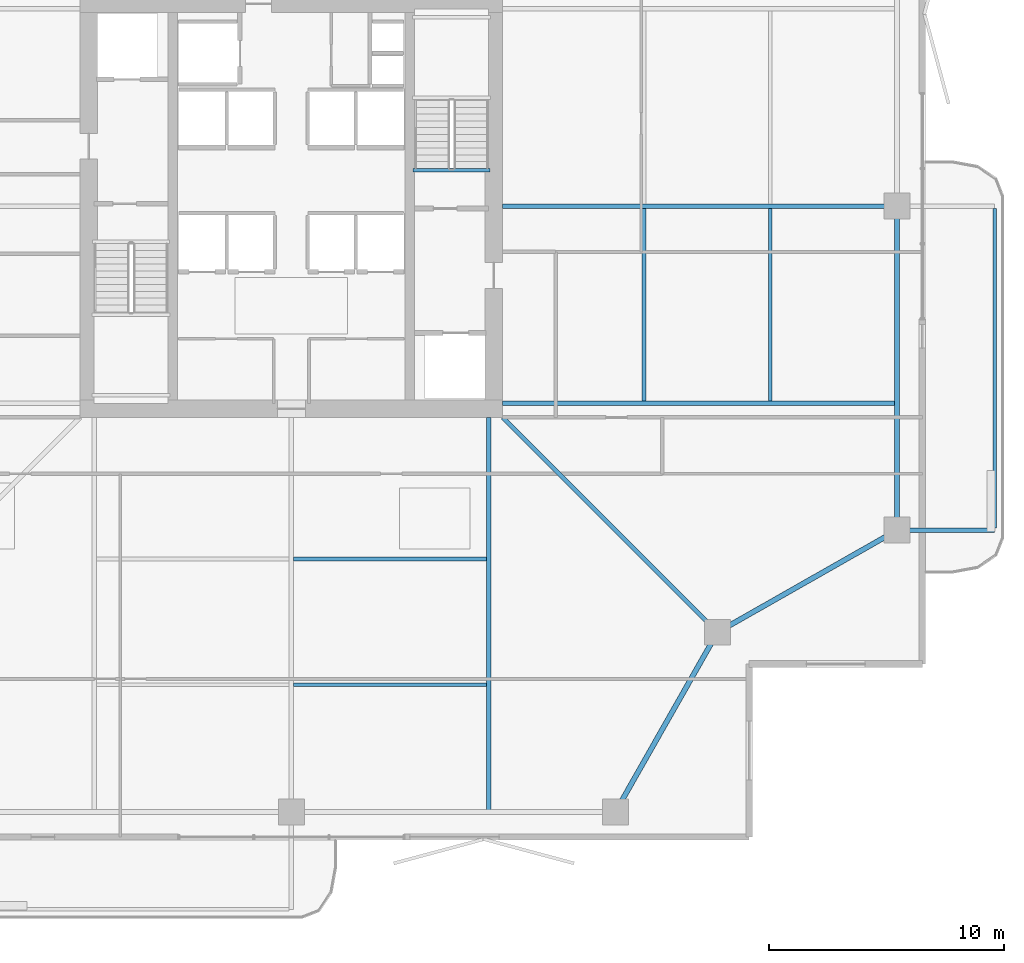
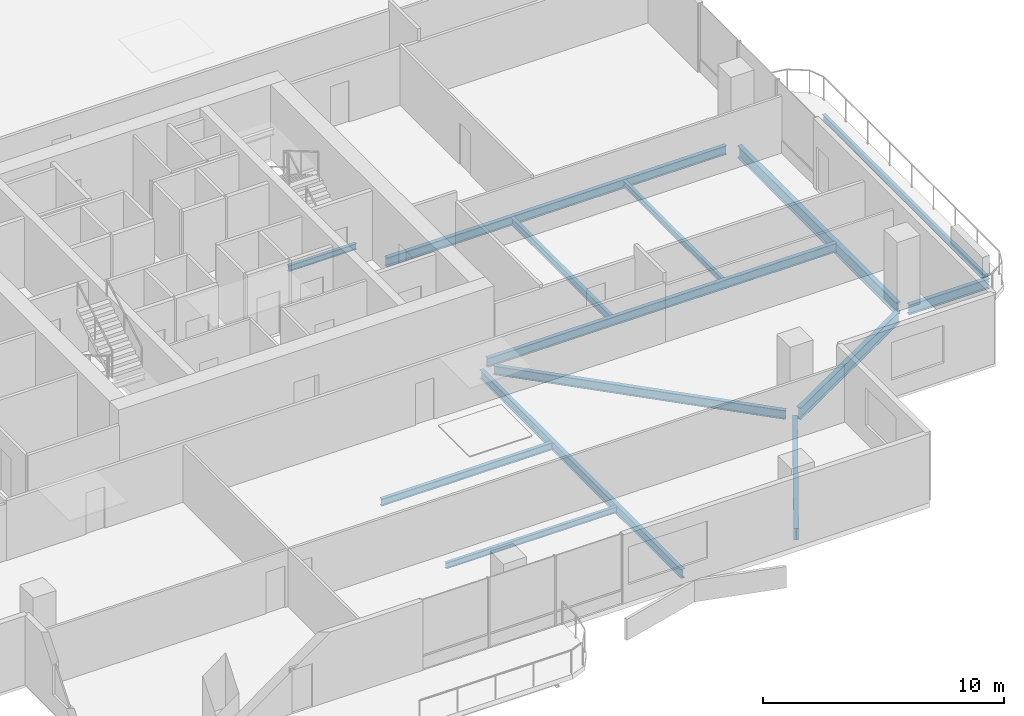
# One storey, part 7 of 23: 14 beams.
"""IFC4 building model written with IfcOpenShell, lengths in metres."""

from ifc_helpers import new_model, si_unit, direction, frame, origin, origin_2d, place, context, subcontext, project, spatial, i_section, extrude, material, material_profile, profile_set, type_object, element, save


model = new_model("IFC4")

# Units and contexts
model_context = context("Model", 3, precision=1e-05, world=origin(), true_north=direction((0.0, 1.0)))
body_context = subcontext(model_context, "Body", "Model", "MODEL_VIEW")
ifc_project = project(units=[si_unit("LENGTHUNIT", "METRE"), si_unit("AREAUNIT", "SQUARE_METRE"), si_unit("VOLUMEUNIT", "CUBIC_METRE"), si_unit("PLANEANGLEUNIT", "RADIAN"), si_unit("MASSUNIT", "GRAM", prefix="KILO")], contexts=[model_context])

# Site, building, storey
site_placement = place(None, origin())
site = spatial("IfcSite", under=ifc_project, at=site_placement, CompositionType="ELEMENT")
building_placement = place(site_placement, origin())
building = spatial("IfcBuilding", under=site, at=building_placement, Name="Belovzor Exchange Tower", CompositionType="ELEMENT")
storey_placement = place(building_placement, frame((0.0, 0.0, 229.949951171875)))
storey = spatial("IfcBuildingStorey", under=building, at=storey_placement, Name="L57", CompositionType="ELEMENT", Elevation=229.949951171875)

# Beams
ifc_material_1 = material(Name="Steel S355", Category="steel")
ifc_material_profile_1 = material_profile(ifc_material_1, i_section(OverallWidth=0.199951171875, OverallDepth=0.5, WebThickness=0.01025390625, FlangeThickness=0.01611328125, at=origin_2d()))
ifc_profile_set_1 = profile_set([ifc_material_profile_1], Name="Steel S355")
beam_type_1 = type_object("IfcBeamType", Name="Planted Balcony Cantilever Beam IPE 500", PredefinedType="BEAM", material=ifc_profile_set_1)
beam_1_placement = place(storey_placement, frame((54.903076171875, 15.0, -0.5), z_axis=(1.0, 0.0, 0.0), x_axis=(0.0, 1.0, 0.0)))
element("IfcBeam", 1, at=beam_1_placement, inside=storey, type_object=beam_type_1, Name="BC-500 Planted Balcony Cantilever Beam IPE 500", PredefinedType="BEAM", context=body_context, shape_type="SweptSolid", body=[
    extrude(i_section(OverallWidth=0.199951171875, OverallDepth=0.5, WebThickness=0.01025390625, FlangeThickness=0.01611328125, at=origin_2d()), origin(), (0.0, 0.0, 1.0), 3.849853515625),
])
ifc_material_2 = material(Name="Steel S355", Category="steel")
ifc_material_profile_2 = material_profile(ifc_material_2, i_section(OverallWidth=0.14990234375, OverallDepth=0.300048828125, WebThickness=0.007080078125, FlangeThickness=0.0107421875, at=origin_2d()))
ifc_profile_set_2 = profile_set([ifc_material_profile_2], Name="Steel S355")
beam_type_2 = type_object("IfcBeamType", Name="Planted Balcony Fascia Edge Beam IPE 300", PredefinedType="BEAM", material=ifc_profile_set_2)
beam_2_placement = place(storey_placement, frame((58.7529296875, 15.10009765625, -0.39990234375), z_axis=(0.0, 1.0, 0.0), x_axis=(-1.0, 0.0, 0.0)))
element("IfcBeam", 2, at=beam_2_placement, inside=storey, type_object=beam_type_2, Name="BC-300 Planted Balcony Fascia Edge Beam IPE 300", PredefinedType="BEAM", context=body_context, shape_type="SweptSolid", body=[
    extrude(i_section(OverallWidth=0.14990234375, OverallDepth=0.300048828125, WebThickness=0.007080078125, FlangeThickness=0.0107421875, at=origin_2d()), origin(), (0.0, 0.0, 1.0), 13.599853515625),
])
ifc_material_3 = material(Name="Steel S355", Category="steel")
ifc_material_profile_3 = material_profile(ifc_material_3, i_section(OverallWidth=0.169921875, OverallDepth=0.360107421875, WebThickness=0.008056640625, FlangeThickness=0.0126953125, at=origin_2d()))
ifc_profile_set_3 = profile_set([ifc_material_profile_3], Name="Steel S355")
beam_type_3 = type_object("IfcBeamType", Name="Secondary Infill Floor Joist IPE 360", PredefinedType="BEAM", material=ifc_profile_set_3)
for number, where, z_axis, x_axis, name in (
    (3, (28.89501953125, 13.77197265625, -0.429931640625), (1.0, 0.0, 0.0), (0.0, 1.0, 0.0), "FJ-360 Secondary Infill Floor Joist IPE 360"),
    (4, (43.827880859375, 20.4951171875, -0.429931640625), (0.0, 1.0, 0.0), (-1.0, 0.0, 0.0), "FJ-360 Secondary Infill Floor Joist IPE 360"),
):
    element("IfcBeam", number, at=place(storey_placement, frame(where, z_axis=z_axis, x_axis=x_axis)), inside=storey, type_object=beam_type_3, Name=name, PredefinedType="BEAM", context=body_context, shape_type="SweptSolid", body=[
        extrude(i_section(OverallWidth=0.169921875, OverallDepth=0.360107421875, WebThickness=0.008056640625, FlangeThickness=0.0126953125, at=origin_2d()), origin(), (0.0, 0.0, 1.0), 8.2099609375),
    ])
ifc_material_4 = material(Name="Steel S355", Category="steel")
ifc_material_profile_4 = material_profile(ifc_material_4, i_section(OverallWidth=0.14990234375, OverallDepth=0.300048828125, WebThickness=0.007080078125, FlangeThickness=0.0107421875, at=origin_2d()))
ifc_profile_set_4 = profile_set([ifc_material_profile_4], Name="Steel S355")
beam_type_4 = type_object("IfcBeamType", Name="Secondary Trim Floor Joist IPE 300", PredefinedType="BEAM", material=ifc_profile_set_4)
beam_3_placement = place(storey_placement, frame((37.260009765625, 30.320068359375, -0.39990234375), z_axis=(-1.0, 0.0, 0.0), x_axis=(0.0, -1.0, 0.0)))
element("IfcBeam", 5, at=beam_3_placement, inside=storey, type_object=beam_type_4, Name="FJ-300 Secondary Trim Floor Joist IPE 300", PredefinedType="BEAM", context=body_context, shape_type="SweptSolid", body=[
    extrude(i_section(OverallWidth=0.14990234375, OverallDepth=0.300048828125, WebThickness=0.007080078125, FlangeThickness=0.0107421875, at=origin_2d()), origin(), (0.0, 0.0, 1.0), 3.27001953125),
])
for number, where, z_axis, x_axis, name in (
    (6, (28.89501953125, 8.4130859375, -0.39990234375), (1.0, 0.0, 0.0), (0.0, 1.0, 0.0), "FJ-300 Secondary Trim Floor Joist IPE 300"),
    (7, (49.18701171875, 20.4951171875, -0.39990234375), (0.0, 1.0, 0.0), (-1.0, 0.0, 0.0), "FJ-300 Secondary Trim Floor Joist IPE 300"),
):
    element("IfcBeam", number, at=place(storey_placement, frame(where, z_axis=z_axis, x_axis=x_axis)), inside=storey, type_object=beam_type_4, Name=name, PredefinedType="BEAM", context=body_context, shape_type="SweptSolid", body=[
        extrude(i_section(OverallWidth=0.14990234375, OverallDepth=0.300048828125, WebThickness=0.007080078125, FlangeThickness=0.0107421875, at=origin_2d()), origin(), (0.0, 0.0, 1.0), 8.2099609375),
    ])
ifc_material_5 = material(Name="Steel S355", Category="steel")
ifc_material_profile_5 = material_profile(ifc_material_5, i_section(OverallWidth=0.18994140625, OverallDepth=0.449951171875, WebThickness=0.009521484375, FlangeThickness=0.0146484375, at=origin_2d()))
ifc_profile_set_5 = profile_set([ifc_material_profile_5], Name="Steel S355")
beam_type_5 = type_object("IfcBeamType", Name="Zone 2-4 Radial Composite Floor Beam IPE 450", PredefinedType="BEAM", material=ifc_profile_set_5)
beam_4_placement = place(storey_placement, frame((37.199951171875, 19.800048828125, -0.474853515625), z_axis=(0.0, -1.0, 0.0), x_axis=(1.0, 0.0, 0.0)))
element("IfcBeam", 8, at=beam_4_placement, inside=storey, type_object=beam_type_5, Name="FB-450 Zone 2-4 Radial Composite Floor Beam IPE 450", PredefinedType="BEAM", context=body_context, shape_type="SweptSolid", body=[
    extrude(i_section(OverallWidth=0.18994140625, OverallDepth=0.449951171875, WebThickness=0.009521484375, FlangeThickness=0.0146484375, at=origin_2d()), origin(), (0.0, 0.0, 1.0), 16.7451171875),
])
beam_5_placement = place(storey_placement, frame((37.800048828125, 20.39990234375, -0.474853515625), z_axis=(1.0, 0.0, 0.0), x_axis=(0.0, 1.0, 0.0)))
element("IfcBeam", 9, at=beam_5_placement, inside=storey, type_object=beam_type_5, Name="FB-450 Zone 2-4 Radial Composite Floor Beam IPE 450", PredefinedType="BEAM", context=body_context, shape_type="SweptSolid", body=[
    extrude(i_section(OverallWidth=0.18994140625, OverallDepth=0.449951171875, WebThickness=0.009521484375, FlangeThickness=0.0146484375, at=origin_2d()), origin(), (0.0, 0.0, 1.0), 16.744873046875),
])
beam_6_placement = place(storey_placement, frame((37.800048828125, 28.800048828125, -0.474853515625), z_axis=(1.0, 0.0, 0.0), x_axis=(0.0, 1.0, 0.0)))
element("IfcBeam", 10, at=beam_6_placement, inside=storey, type_object=beam_type_5, Name="FB-450 Zone 2-4 Radial Composite Floor Beam IPE 450", PredefinedType="BEAM", context=body_context, shape_type="SweptSolid", body=[
    extrude(i_section(OverallWidth=0.18994140625, OverallDepth=0.449951171875, WebThickness=0.009521484375, FlangeThickness=0.0146484375, at=origin_2d()), origin(), (0.0, 0.0, 1.0), 16.31591796875),
])
beam_7_placement = place(storey_placement, frame((37.800048828125, 19.800048828125, -0.474853515625), z_axis=(0.707106781187, -0.707106781187, 0.0), x_axis=(0.707106781187, 0.707106781187, 0.0)))
element("IfcBeam", 11, at=beam_7_placement, inside=storey, type_object=beam_type_5, Name="FB-450 Zone 2-4 Radial Composite Floor Beam IPE 450", PredefinedType="BEAM", context=body_context, shape_type="SweptSolid", body=[
    extrude(i_section(OverallWidth=0.18994140625, OverallDepth=0.449951171875, WebThickness=0.009521484375, FlangeThickness=0.0146484375, at=origin_2d()), origin(), (0.0, 0.0, 1.0), 12.551025390625),
])
ifc_material_6 = material(Name="Steel S355", Category="steel")
ifc_material_profile_6 = material_profile(ifc_material_6, i_section(OverallWidth=0.219970703125, OverallDepth=0.60009765625, WebThickness=0.011962890625, FlangeThickness=0.01904296875, at=origin_2d()))
ifc_profile_set_6 = profile_set([ifc_material_profile_6], Name="Steel S355")
beam_type_6 = type_object("IfcBeamType", Name="Zone 4 Flare Primary Girder IPE 600", PredefinedType="BEAM", material=ifc_profile_set_6)
for number, where, z_axis, x_axis, name in (
    (12, (42.75, 3.262939453125, -0.550048828125), (0.494222323641, 0.869335547884, 0.0), (-0.869335547884, 0.494222323641, 0.0), "FG-Z4 Zone 4 Flare Primary Girder IPE 600"),
    (13, (47.212890625, 10.800048828125, -0.550048828125), (0.869335547884, 0.494222323641, 0.0), (-0.494222323641, 0.869335547884, 0.0), "FG-Z4 Zone 4 Flare Primary Girder IPE 600"),
):
    element("IfcBeam", number, at=place(storey_placement, frame(where, z_axis=z_axis, x_axis=x_axis)), inside=storey, type_object=beam_type_6, Name=name, PredefinedType="BEAM", context=body_context, shape_type="SweptSolid", body=[
        extrude(i_section(OverallWidth=0.219970703125, OverallDepth=0.60009765625, WebThickness=0.011962890625, FlangeThickness=0.01904296875, at=origin_2d()), origin(), (0.0, 0.0, 1.0), 8.19482421875),
    ])
beam_8_placement = place(storey_placement, frame((54.60009765625, 15.302978515625, -0.550048828125), z_axis=(0.0, 1.0, 0.0), x_axis=(-1.0, 0.0, 0.0)))
element("IfcBeam", 14, at=beam_8_placement, inside=storey, type_object=beam_type_6, Name="FG-Z4 Zone 4 Flare Primary Girder IPE 600", PredefinedType="BEAM", context=body_context, shape_type="SweptSolid", body=[
    extrude(i_section(OverallWidth=0.219970703125, OverallDepth=0.60009765625, WebThickness=0.011962890625, FlangeThickness=0.01904296875, at=origin_2d()), origin(), (0.0, 0.0, 1.0), 13.195068359375),
])

save(model, "model.ifc")
